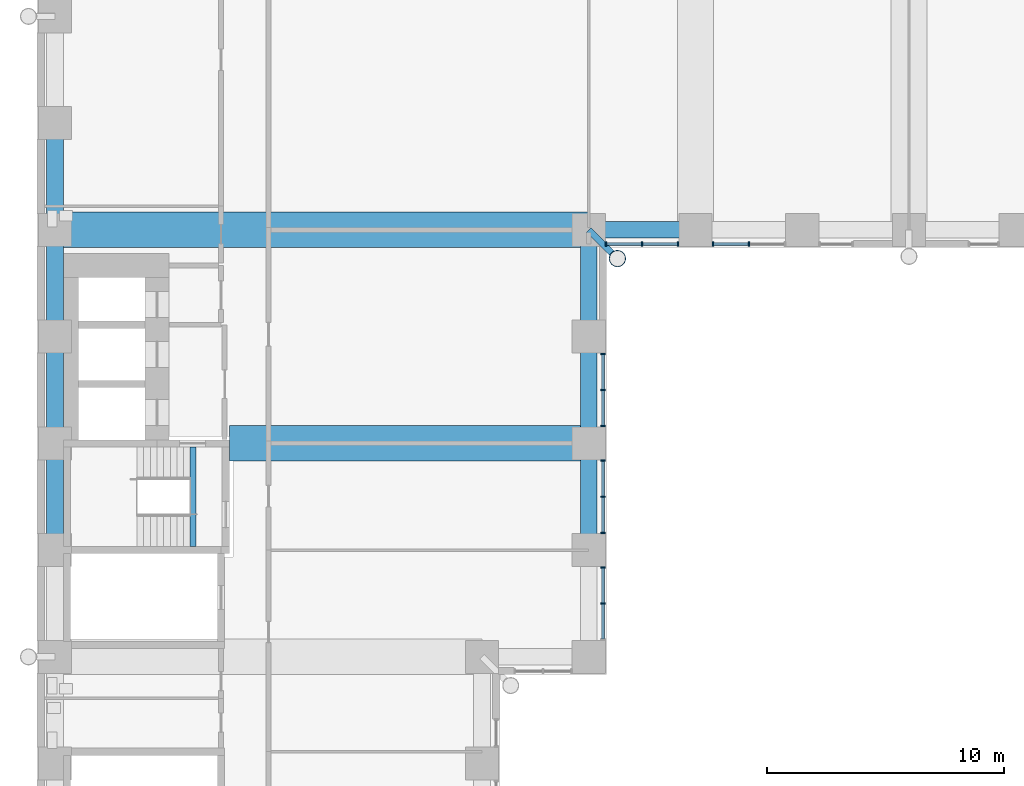
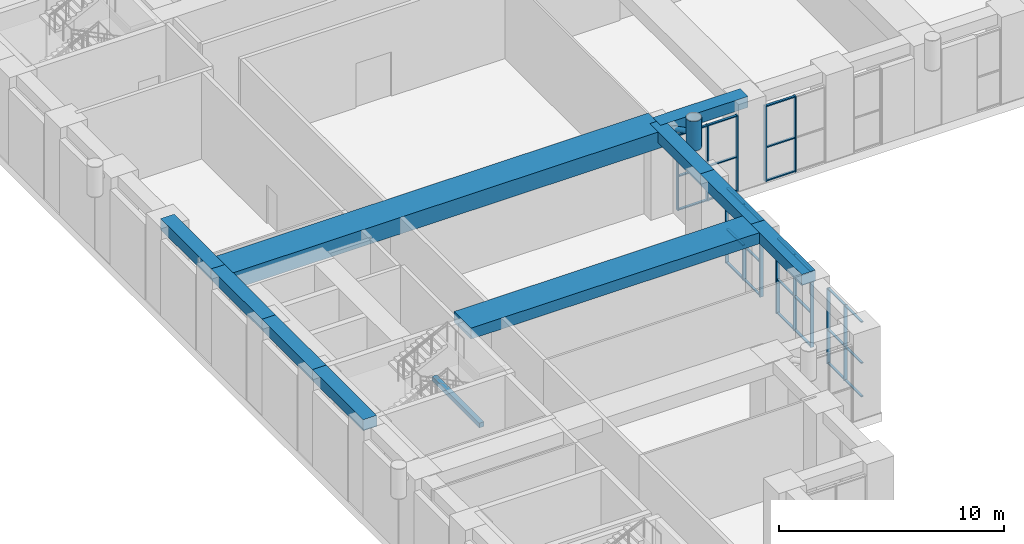
# One storey, part 3 of 35: 42 members, 11 beams, 5 elements without a shape of their own.
"""IFC4 building model written with IfcOpenShell, lengths in metres."""

from ifc_helpers import new_model, si_unit, direction, frame, origin, origin_2d, place, context, subcontext, project, spatial, rectangle, hollow_circle, extrude, material, material_profile, profile_set, type_object, element, aggregate, save


model = new_model("IFC4")

# Units and contexts
model_context = context("Model", 3, precision=1e-05, world=origin(), true_north=direction((0.0, 1.0)))
body_context = subcontext(model_context, "Body", "Model", "MODEL_VIEW")
ifc_project = project(units=[si_unit("LENGTHUNIT", "METRE"), si_unit("AREAUNIT", "SQUARE_METRE"), si_unit("VOLUMEUNIT", "CUBIC_METRE"), si_unit("PLANEANGLEUNIT", "RADIAN"), si_unit("MASSUNIT", "GRAM", prefix="KILO")], contexts=[model_context])

# Site, building, storey
site_placement = place(None, origin())
site = spatial("IfcSite", under=ifc_project, at=site_placement, CompositionType="ELEMENT")
building_placement = place(site_placement, origin())
building = spatial("IfcBuilding", under=site, at=building_placement, Name="Firuza Court", CompositionType="ELEMENT")
storey_placement = place(building_placement, frame((0.0, 0.0, 24.0)))
storey = spatial("IfcBuildingStorey", under=building, at=storey_placement, Name="L04", CompositionType="ELEMENT", Elevation=24.0)

# Beams
ifc_material_1 = material(Name="Concrete C40/50", Category="concrete")
ifc_material_profile_1 = material_profile(ifc_material_1, rectangle(XDim=1.5, YDim=0.60009765625, at=origin_2d()), Name="RC 1500x600")
ifc_profile_set_1 = profile_set([ifc_material_profile_1], Name="Concrete C40/50")
beam_type_1 = type_object("IfcBeamType", Name="Band beam RC 1500x600 C40/50", PredefinedType="BEAM", material=ifc_profile_set_1)
beam_1_placement = place(storey_placement, frame((22.5, 27.0, 4.39990234375), z_axis=(-1.0, 0.0, 0.0), x_axis=(0.0, -1.0, 0.0)))
element("IfcBeam", 1, at=beam_1_placement, inside=storey, type_object=beam_type_1, Name="Band beam FB3 level L05", PredefinedType="BEAM", context=body_context, shape_type="SweptSolid", body=[
    extrude(rectangle(XDim=1.5, YDim=0.60009765625, at=origin_2d()), origin(), (0.0, 0.0, 1.0), 15.14990234375),
])
ifc_material_2 = material(Name="Concrete C40/50", Category="concrete")
ifc_material_profile_2 = material_profile(ifc_material_2, rectangle(XDim=1.5, YDim=0.89990234375, at=origin_2d()), Name="RC 1500x900")
ifc_profile_set_2 = profile_set([ifc_material_profile_2], Name="Concrete C40/50")
beam_type_2 = type_object("IfcBeamType", Name="Band beam RC 1500x900 C40/50", PredefinedType="BEAM", material=ifc_profile_set_2)
beam_2_placement = place(storey_placement, frame((0.0, 36.0, 4.25), z_axis=(1.0, 0.0, 0.0), x_axis=(0.0, 1.0, 0.0)))
element("IfcBeam", 2, at=beam_2_placement, inside=storey, type_object=beam_type_2, Name="Band beam FB2 level L05", PredefinedType="BEAM", context=body_context, shape_type="SweptSolid", body=[
    extrude(rectangle(XDim=1.5, YDim=0.89990234375, at=origin_2d()), origin(), (0.0, 0.0, 1.0), 22.5),
])

# Members
ifc_material_3 = material(Name="Steel S355", Category="steel")
ifc_material_profile_3 = material_profile(ifc_material_3, hollow_circle(Radius=0.35546875, WallThickness=0.030029296875, at=origin_2d()), Name="CHS 711x30")
ifc_profile_set_3 = profile_set([ifc_material_profile_3], Name="Steel S355")
member_type_1 = type_object("IfcMemberType", Name="Diagrid node CHS 711x30 S355", PredefinedType="USERDEFINED", material=ifc_profile_set_3)
member_1_placement = place(storey_placement, frame((23.7099609375, 34.7900390625, 3.64990234375), z_axis=(0.0, 0.0, 1.0), x_axis=(1.0, 0.0, 0.0)))
element("IfcMember", 3, at=member_1_placement, inside=storey, type_object=member_type_1, Name="Diagrid node level L04", ObjectType="DIAGRID NODE", PredefinedType="USERDEFINED", context=body_context, shape_type="SweptSolid", body=[
    extrude(hollow_circle(Radius=0.35546875, WallThickness=0.030029296875, at=origin_2d()), origin(), (0.0, 0.0, 1.0), 1.60009765625),
])
ifc_material_4 = material(Name="Steel S355", Category="steel")
ifc_material_profile_4 = material_profile(ifc_material_4, hollow_circle(Radius=0.136474609375, WallThickness=0.012451171875, at=origin_2d()), Name="CHS 273x12.5")
ifc_profile_set_4 = profile_set([ifc_material_profile_4], Name="Steel S355")
member_type_2 = type_object("IfcMemberType", Name="Diagrid tie CHS 273x12.5 S355", PredefinedType="STRUT", material=ifc_profile_set_4)
member_2_placement = place(storey_placement, frame((22.5, 36.0, 4.449951171875), z_axis=(0.707106781187, -0.707106781187, 0.0), x_axis=(0.707106781187, 0.707106781187, 0.0)))
element("IfcMember", 4, at=member_2_placement, inside=storey, type_object=member_type_2, Name="Diagrid tie level L05", PredefinedType="STRUT", context=body_context, shape_type="SweptSolid", body=[
    extrude(hollow_circle(Radius=0.136474609375, WallThickness=0.012451171875, at=origin_2d()), origin(), (0.0, 0.0, 1.0), 1.711181640625),
])

# Beam
ifc_material_5 = material(Name="Concrete C40/50", Category="concrete")
ifc_material_profile_5 = material_profile(ifc_material_5, rectangle(XDim=0.25, YDim=0.25, at=origin_2d()), Name="RC 250x250")
ifc_profile_set_5 = profile_set([ifc_material_profile_5], Name="Concrete C40/50")
beam_type_3 = type_object("IfcBeamType", Name="Landing beam RC 250x250 C40/50", PredefinedType="BEAM", material=ifc_profile_set_5)
beam_3_placement = place(storey_placement, frame((5.824951171875, 22.64990234375, 2.175048828125), z_axis=(0.0, 1.0, 0.0), x_axis=(-1.0, 0.0, 0.0)))
element("IfcBeam", 5, at=beam_3_placement, inside=storey, type_object=beam_type_3, Name="Landing beam S2 L04", PredefinedType="BEAM", context=body_context, shape_type="SweptSolid", body=[
    extrude(rectangle(XDim=0.25, YDim=0.25, at=origin_2d()), origin(), (0.0, 0.0, 1.0), 4.2001953125),
])

# Curtain wall, members
ifc_material_6 = material(Name="Aluminium curtain wall, triple clear glazing", Category="aluminium")
curtain_wall_type = type_object("IfcCurtainWallType", Name="Podium unitised curtain wall CW1", PredefinedType="NOTDEFINED", material=ifc_material_6)
curtain_wall_1_placement = place(storey_placement, origin())
curtain_wall_1 = element("IfcCurtainWall", 6, at=curtain_wall_1_placement, inside=storey, type_object=curtain_wall_type, Name="Podium unitised curtain wall CW1 L04", PredefinedType="NOTDEFINED")
ifc_material_7 = material(Name="Aluminium EN AW-6060 T66", Category="aluminium")
ifc_material_profile_6 = material_profile(ifc_material_7, rectangle(XDim=0.179931640625, YDim=0.06005859375, at=origin_2d()), Name="Mullion 180 x 60 CW1")
ifc_profile_set_6 = profile_set([ifc_material_profile_6], Name="Aluminium EN AW-6060 T66")
member_type_3 = type_object("IfcMemberType", Name="Mullion 180 x 60 CW1", PredefinedType="MULLION", material=ifc_profile_set_6)
member_3_placement = place(storey_placement, frame((23.10009765625, 20.25, 0.0), z_axis=(0.0, 0.0, 1.0), x_axis=(-1.0, 0.0, 0.0)))
member_3 = element("IfcMember", 7, at=member_3_placement, type_object=member_type_3, Name="CW1 mullion 2", PredefinedType="MULLION", context=body_context, shape_type="SweptSolid", body=[
    extrude(rectangle(XDim=0.179931640625, YDim=0.06005859375, at=origin_2d()), origin(), (0.0, 0.0, 1.0), 4.10009765625),
])
member_4_placement = place(storey_placement, frame((23.10009765625, 21.77001953125, 0.0), z_axis=(0.0, 0.0, 1.0), x_axis=(-1.0, 0.0, 0.0)))
member_4 = element("IfcMember", 8, at=member_4_placement, type_object=member_type_3, Name="CW1 mullion 3", PredefinedType="MULLION", context=body_context, shape_type="SweptSolid", body=[
    extrude(rectangle(XDim=0.179931640625, YDim=0.06005859375, at=origin_2d()), origin(), (0.0, 0.0, 1.0), 4.10009765625),
])

curtain_wall_2_placement = place(storey_placement, origin())
curtain_wall_2 = element("IfcCurtainWall", 9, at=curtain_wall_2_placement, inside=storey, type_object=curtain_wall_type, Name="Podium unitised curtain wall CW1 L04", PredefinedType="NOTDEFINED")
member_5_placement = place(storey_placement, frame((23.10009765625, 23.22998046875, 0.0), z_axis=(0.0, 0.0, 1.0), x_axis=(-1.0, 0.0, 0.0)))
member_5 = element("IfcMember", 10, at=member_5_placement, type_object=member_type_3, Name="CW1 mullion 1", PredefinedType="MULLION", context=body_context, shape_type="SweptSolid", body=[
    extrude(rectangle(XDim=0.179931640625, YDim=0.06005859375, at=origin_2d()), origin(), (0.0, 0.0, 1.0), 4.10009765625),
])
member_6_placement = place(storey_placement, frame((23.10009765625, 24.75, 0.0), z_axis=(0.0, 0.0, 1.0), x_axis=(-1.0, 0.0, 0.0)))
member_6 = element("IfcMember", 11, at=member_6_placement, type_object=member_type_3, Name="CW1 mullion 2", PredefinedType="MULLION", context=body_context, shape_type="SweptSolid", body=[
    extrude(rectangle(XDim=0.179931640625, YDim=0.06005859375, at=origin_2d()), origin(), (0.0, 0.0, 1.0), 4.10009765625),
])
member_7_placement = place(storey_placement, frame((23.10009765625, 26.27001953125, 0.0), z_axis=(0.0, 0.0, 1.0), x_axis=(-1.0, 0.0, 0.0)))
member_7 = element("IfcMember", 12, at=member_7_placement, type_object=member_type_3, Name="CW1 mullion 3", PredefinedType="MULLION", context=body_context, shape_type="SweptSolid", body=[
    extrude(rectangle(XDim=0.179931640625, YDim=0.06005859375, at=origin_2d()), origin(), (0.0, 0.0, 1.0), 4.10009765625),
])

curtain_wall_3_placement = place(storey_placement, origin())
curtain_wall_3 = element("IfcCurtainWall", 13, at=curtain_wall_3_placement, inside=storey, type_object=curtain_wall_type, Name="Podium unitised curtain wall CW1 L04", PredefinedType="NOTDEFINED")
member_8_placement = place(storey_placement, frame((23.10009765625, 27.72998046875, 0.0), z_axis=(0.0, 0.0, 1.0), x_axis=(-1.0, 0.0, 0.0)))
member_8 = element("IfcMember", 14, at=member_8_placement, type_object=member_type_3, Name="CW1 mullion 1", PredefinedType="MULLION", context=body_context, shape_type="SweptSolid", body=[
    extrude(rectangle(XDim=0.179931640625, YDim=0.06005859375, at=origin_2d()), origin(), (0.0, 0.0, 1.0), 4.10009765625),
])
member_9_placement = place(storey_placement, frame((23.10009765625, 29.25, 0.0), z_axis=(0.0, 0.0, 1.0), x_axis=(-1.0, 0.0, 0.0)))
member_9 = element("IfcMember", 15, at=member_9_placement, type_object=member_type_3, Name="CW1 mullion 2", PredefinedType="MULLION", context=body_context, shape_type="SweptSolid", body=[
    extrude(rectangle(XDim=0.179931640625, YDim=0.06005859375, at=origin_2d()), origin(), (0.0, 0.0, 1.0), 4.10009765625),
])
member_10_placement = place(storey_placement, frame((23.10009765625, 30.77001953125, 0.0), z_axis=(0.0, 0.0, 1.0), x_axis=(-1.0, 0.0, 0.0)))
member_10 = element("IfcMember", 16, at=member_10_placement, type_object=member_type_3, Name="CW1 mullion 3", PredefinedType="MULLION", context=body_context, shape_type="SweptSolid", body=[
    extrude(rectangle(XDim=0.179931640625, YDim=0.06005859375, at=origin_2d()), origin(), (0.0, 0.0, 1.0), 4.10009765625),
])

curtain_wall_4_placement = place(storey_placement, origin())
curtain_wall_4 = element("IfcCurtainWall", 17, at=curtain_wall_4_placement, inside=storey, type_object=curtain_wall_type, Name="Podium unitised curtain wall CW1 L04", PredefinedType="NOTDEFINED")
member_11_placement = place(storey_placement, frame((23.22998046875, 35.39990234375, 0.0), z_axis=(0.0, 0.0, 1.0), x_axis=(0.0, 1.0, 0.0)))
member_11 = element("IfcMember", 18, at=member_11_placement, type_object=member_type_3, Name="CW1 mullion 1", PredefinedType="MULLION", context=body_context, shape_type="SweptSolid", body=[
    extrude(rectangle(XDim=0.179931640625, YDim=0.06005859375, at=origin_2d()), origin(), (0.0, 0.0, 1.0), 4.10009765625),
])
member_12_placement = place(storey_placement, frame((24.75, 35.39990234375, 0.0), z_axis=(0.0, 0.0, 1.0), x_axis=(0.0, 1.0, 0.0)))
member_12 = element("IfcMember", 19, at=member_12_placement, type_object=member_type_3, Name="CW1 mullion 2", PredefinedType="MULLION", context=body_context, shape_type="SweptSolid", body=[
    extrude(rectangle(XDim=0.179931640625, YDim=0.06005859375, at=origin_2d()), origin(), (0.0, 0.0, 1.0), 4.10009765625),
])
member_13_placement = place(storey_placement, frame((26.27001953125, 35.39990234375, 0.0), z_axis=(0.0, 0.0, 1.0), x_axis=(0.0, 1.0, 0.0)))
member_13 = element("IfcMember", 20, at=member_13_placement, type_object=member_type_3, Name="CW1 mullion 3", PredefinedType="MULLION", context=body_context, shape_type="SweptSolid", body=[
    extrude(rectangle(XDim=0.179931640625, YDim=0.06005859375, at=origin_2d()), origin(), (0.0, 0.0, 1.0), 4.10009765625),
])

curtain_wall_5_placement = place(storey_placement, origin())
curtain_wall_5 = element("IfcCurtainWall", 21, at=curtain_wall_5_placement, inside=storey, type_object=curtain_wall_type, Name="Podium unitised curtain wall CW1 L04", PredefinedType="NOTDEFINED")
member_14_placement = place(storey_placement, frame((27.72998046875, 35.39990234375, 0.0), z_axis=(0.0, 0.0, 1.0), x_axis=(0.0, 1.0, 0.0)))
member_14 = element("IfcMember", 22, at=member_14_placement, type_object=member_type_3, Name="CW1 mullion 1", PredefinedType="MULLION", context=body_context, shape_type="SweptSolid", body=[
    extrude(rectangle(XDim=0.179931640625, YDim=0.06005859375, at=origin_2d()), origin(), (0.0, 0.0, 1.0), 4.10009765625),
])
member_15_placement = place(storey_placement, frame((29.25, 35.39990234375, 0.0), z_axis=(0.0, 0.0, 1.0), x_axis=(0.0, 1.0, 0.0)))
member_15 = element("IfcMember", 23, at=member_15_placement, type_object=member_type_3, Name="CW1 mullion 2", PredefinedType="MULLION", context=body_context, shape_type="SweptSolid", body=[
    extrude(rectangle(XDim=0.179931640625, YDim=0.06005859375, at=origin_2d()), origin(), (0.0, 0.0, 1.0), 4.10009765625),
])

# Beams
ifc_material_8 = material(Name="Concrete C40/50", Category="concrete")
ifc_material_profile_7 = material_profile(ifc_material_8, rectangle(XDim=0.699951171875, YDim=0.60009765625, at=origin_2d()), Name="RC 700x600")
ifc_profile_set_7 = profile_set([ifc_material_profile_7], Name="Concrete C40/50")
beam_type_4 = type_object("IfcBeamType", Name="Spandrel beam RC 700x600 C40/50", PredefinedType="BEAM", material=ifc_profile_set_7)
for number, where, z_axis, x_axis, name in (
    (24, (0.0, 27.0, 4.39990234375), (0.0, -1.0, 0.0), (1.0, 0.0, 0.0), "Spandrel beam SP10 level L05"),
    (25, (0.0, 31.5, 4.39990234375), (0.0, -1.0, 0.0), (1.0, 0.0, 0.0), "Spandrel beam SP10 level L05"),
    (26, (0.0, 36.0, 4.39990234375), (0.0, -1.0, 0.0), (1.0, 0.0, 0.0), "Spandrel beam SP10 level L05"),
    (27, (0.0, 40.5, 4.39990234375), (0.0, -1.0, 0.0), (1.0, 0.0, 0.0), "Spandrel beam SP10 level L05"),
    (28, (22.5, 22.5, 4.39990234375), (0.0, 1.0, 0.0), (-1.0, 0.0, 0.0), "Spandrel beam SP10 level L05"),
    (29, (22.5, 27.0, 4.39990234375), (0.0, 1.0, 0.0), (-1.0, 0.0, 0.0), "Spandrel beam SP10 level L05"),
    (30, (22.5, 31.5, 4.39990234375), (0.0, 1.0, 0.0), (-1.0, 0.0, 0.0), "Spandrel beam SP10 level L05"),
    (31, (22.5, 36.0, 4.39990234375), (1.0, 0.0, 0.0), (0.0, 1.0, 0.0), "Spandrel beam SP10 level L05"),
):
    element("IfcBeam", number, at=place(storey_placement, frame(where, z_axis=z_axis, x_axis=x_axis)), inside=storey, type_object=beam_type_4, Name=name, PredefinedType="BEAM", context=body_context, shape_type="SweptSolid", body=[
        extrude(rectangle(XDim=0.699951171875, YDim=0.60009765625, at=origin_2d()), origin(), (0.0, 0.0, 1.0), 4.5),
    ])

# Member
ifc_material_9 = material(Name="Aluminium EN AW-6060 T66", Category="aluminium")
ifc_material_profile_8 = material_profile(ifc_material_9, rectangle(XDim=0.1201171875, YDim=0.06005859375, at=origin_2d()), Name="Transom 120 x 60 CW1")
ifc_profile_set_8 = profile_set([ifc_material_profile_8], Name="Aluminium EN AW-6060 T66")
member_type_4 = type_object("IfcMemberType", Name="Transom 120 x 60 CW1", PredefinedType="USERDEFINED", material=ifc_profile_set_8)
member_16_placement = place(storey_placement, frame((23.10009765625, 18.760009765625, 0.030029296875), z_axis=(0.0, 1.0, 0.0), x_axis=(-1.0, 0.0, 0.0)))
member_16 = element("IfcMember", 32, at=member_16_placement, type_object=member_type_4, Name="CW1 transom 1.1", ObjectType="TRANSOM", PredefinedType="USERDEFINED", context=body_context, shape_type="SweptSolid", body=[
    extrude(rectangle(XDim=0.1201171875, YDim=0.06005859375, at=origin_2d()), origin(), (0.0, 0.0, 1.0), 1.4599609375),
])

member_17_placement = place(storey_placement, frame((23.10009765625, 18.760009765625, 1.844970703125), z_axis=(0.0, 1.0, 0.0), x_axis=(-1.0, 0.0, 0.0)))
member_17 = element("IfcMember", 33, at=member_17_placement, type_object=member_type_4, Name="CW1 transom 1.2", ObjectType="TRANSOM", PredefinedType="USERDEFINED", context=body_context, shape_type="SweptSolid", body=[
    extrude(rectangle(XDim=0.1201171875, YDim=0.06005859375, at=origin_2d()), origin(), (0.0, 0.0, 1.0), 1.4599609375),
])

member_18_placement = place(storey_placement, frame((23.10009765625, 18.760009765625, 4.070068359375), z_axis=(0.0, 1.0, 0.0), x_axis=(-1.0, 0.0, 0.0)))
member_18 = element("IfcMember", 34, at=member_18_placement, type_object=member_type_4, Name="CW1 transom 1.3", ObjectType="TRANSOM", PredefinedType="USERDEFINED", context=body_context, shape_type="SweptSolid", body=[
    extrude(rectangle(XDim=0.1201171875, YDim=0.06005859375, at=origin_2d()), origin(), (0.0, 0.0, 1.0), 1.4599609375),
])

member_19_placement = place(storey_placement, frame((23.10009765625, 20.280029296875, 0.030029296875), z_axis=(0.0, 1.0, 0.0), x_axis=(-1.0, 0.0, 0.0)))
member_19 = element("IfcMember", 35, at=member_19_placement, type_object=member_type_4, Name="CW1 transom 2.1", ObjectType="TRANSOM", PredefinedType="USERDEFINED", context=body_context, shape_type="SweptSolid", body=[
    extrude(rectangle(XDim=0.1201171875, YDim=0.06005859375, at=origin_2d()), origin(), (0.0, 0.0, 1.0), 1.4599609375),
])

member_20_placement = place(storey_placement, frame((23.10009765625, 20.280029296875, 1.844970703125), z_axis=(0.0, 1.0, 0.0), x_axis=(-1.0, 0.0, 0.0)))
member_20 = element("IfcMember", 36, at=member_20_placement, type_object=member_type_4, Name="CW1 transom 2.2", ObjectType="TRANSOM", PredefinedType="USERDEFINED", context=body_context, shape_type="SweptSolid", body=[
    extrude(rectangle(XDim=0.1201171875, YDim=0.06005859375, at=origin_2d()), origin(), (0.0, 0.0, 1.0), 1.4599609375),
])

member_21_placement = place(storey_placement, frame((23.10009765625, 20.280029296875, 4.070068359375), z_axis=(0.0, 1.0, 0.0), x_axis=(-1.0, 0.0, 0.0)))
member_21 = element("IfcMember", 37, at=member_21_placement, type_object=member_type_4, Name="CW1 transom 2.3", ObjectType="TRANSOM", PredefinedType="USERDEFINED", context=body_context, shape_type="SweptSolid", body=[
    extrude(rectangle(XDim=0.1201171875, YDim=0.06005859375, at=origin_2d()), origin(), (0.0, 0.0, 1.0), 1.4599609375),
])

aggregate(curtain_wall_1, [member_3, member_4, member_16, member_17, member_18, member_19, member_20, member_21])

member_22_placement = place(storey_placement, frame((23.10009765625, 23.260009765625, 0.030029296875), z_axis=(0.0, 1.0, 0.0), x_axis=(-1.0, 0.0, 0.0)))
member_22 = element("IfcMember", 38, at=member_22_placement, type_object=member_type_4, Name="CW1 transom 1.1", ObjectType="TRANSOM", PredefinedType="USERDEFINED", context=body_context, shape_type="SweptSolid", body=[
    extrude(rectangle(XDim=0.1201171875, YDim=0.06005859375, at=origin_2d()), origin(), (0.0, 0.0, 1.0), 1.4599609375),
])

member_23_placement = place(storey_placement, frame((23.10009765625, 23.260009765625, 1.844970703125), z_axis=(0.0, 1.0, 0.0), x_axis=(-1.0, 0.0, 0.0)))
member_23 = element("IfcMember", 39, at=member_23_placement, type_object=member_type_4, Name="CW1 transom 1.2", ObjectType="TRANSOM", PredefinedType="USERDEFINED", context=body_context, shape_type="SweptSolid", body=[
    extrude(rectangle(XDim=0.1201171875, YDim=0.06005859375, at=origin_2d()), origin(), (0.0, 0.0, 1.0), 1.4599609375),
])

member_24_placement = place(storey_placement, frame((23.10009765625, 23.260009765625, 4.070068359375), z_axis=(0.0, 1.0, 0.0), x_axis=(-1.0, 0.0, 0.0)))
member_24 = element("IfcMember", 40, at=member_24_placement, type_object=member_type_4, Name="CW1 transom 1.3", ObjectType="TRANSOM", PredefinedType="USERDEFINED", context=body_context, shape_type="SweptSolid", body=[
    extrude(rectangle(XDim=0.1201171875, YDim=0.06005859375, at=origin_2d()), origin(), (0.0, 0.0, 1.0), 1.4599609375),
])

member_25_placement = place(storey_placement, frame((23.10009765625, 24.780029296875, 0.030029296875), z_axis=(0.0, 1.0, 0.0), x_axis=(-1.0, 0.0, 0.0)))
member_25 = element("IfcMember", 41, at=member_25_placement, type_object=member_type_4, Name="CW1 transom 2.1", ObjectType="TRANSOM", PredefinedType="USERDEFINED", context=body_context, shape_type="SweptSolid", body=[
    extrude(rectangle(XDim=0.1201171875, YDim=0.06005859375, at=origin_2d()), origin(), (0.0, 0.0, 1.0), 1.4599609375),
])

member_26_placement = place(storey_placement, frame((23.10009765625, 24.780029296875, 1.844970703125), z_axis=(0.0, 1.0, 0.0), x_axis=(-1.0, 0.0, 0.0)))
member_26 = element("IfcMember", 42, at=member_26_placement, type_object=member_type_4, Name="CW1 transom 2.2", ObjectType="TRANSOM", PredefinedType="USERDEFINED", context=body_context, shape_type="SweptSolid", body=[
    extrude(rectangle(XDim=0.1201171875, YDim=0.06005859375, at=origin_2d()), origin(), (0.0, 0.0, 1.0), 1.4599609375),
])

member_27_placement = place(storey_placement, frame((23.10009765625, 24.780029296875, 4.070068359375), z_axis=(0.0, 1.0, 0.0), x_axis=(-1.0, 0.0, 0.0)))
member_27 = element("IfcMember", 43, at=member_27_placement, type_object=member_type_4, Name="CW1 transom 2.3", ObjectType="TRANSOM", PredefinedType="USERDEFINED", context=body_context, shape_type="SweptSolid", body=[
    extrude(rectangle(XDim=0.1201171875, YDim=0.06005859375, at=origin_2d()), origin(), (0.0, 0.0, 1.0), 1.4599609375),
])

aggregate(curtain_wall_2, [member_5, member_6, member_7, member_22, member_23, member_24, member_25, member_26, member_27])

member_28_placement = place(storey_placement, frame((23.10009765625, 27.760009765625, 0.030029296875), z_axis=(0.0, 1.0, 0.0), x_axis=(-1.0, 0.0, 0.0)))
member_28 = element("IfcMember", 44, at=member_28_placement, type_object=member_type_4, Name="CW1 transom 1.1", ObjectType="TRANSOM", PredefinedType="USERDEFINED", context=body_context, shape_type="SweptSolid", body=[
    extrude(rectangle(XDim=0.1201171875, YDim=0.06005859375, at=origin_2d()), origin(), (0.0, 0.0, 1.0), 1.4599609375),
])

member_29_placement = place(storey_placement, frame((23.10009765625, 27.760009765625, 1.844970703125), z_axis=(0.0, 1.0, 0.0), x_axis=(-1.0, 0.0, 0.0)))
member_29 = element("IfcMember", 45, at=member_29_placement, type_object=member_type_4, Name="CW1 transom 1.2", ObjectType="TRANSOM", PredefinedType="USERDEFINED", context=body_context, shape_type="SweptSolid", body=[
    extrude(rectangle(XDim=0.1201171875, YDim=0.06005859375, at=origin_2d()), origin(), (0.0, 0.0, 1.0), 1.4599609375),
])

member_30_placement = place(storey_placement, frame((23.10009765625, 27.760009765625, 4.070068359375), z_axis=(0.0, 1.0, 0.0), x_axis=(-1.0, 0.0, 0.0)))
member_30 = element("IfcMember", 46, at=member_30_placement, type_object=member_type_4, Name="CW1 transom 1.3", ObjectType="TRANSOM", PredefinedType="USERDEFINED", context=body_context, shape_type="SweptSolid", body=[
    extrude(rectangle(XDim=0.1201171875, YDim=0.06005859375, at=origin_2d()), origin(), (0.0, 0.0, 1.0), 1.4599609375),
])

member_31_placement = place(storey_placement, frame((23.10009765625, 29.280029296875, 0.030029296875), z_axis=(0.0, 1.0, 0.0), x_axis=(-1.0, 0.0, 0.0)))
member_31 = element("IfcMember", 47, at=member_31_placement, type_object=member_type_4, Name="CW1 transom 2.1", ObjectType="TRANSOM", PredefinedType="USERDEFINED", context=body_context, shape_type="SweptSolid", body=[
    extrude(rectangle(XDim=0.1201171875, YDim=0.06005859375, at=origin_2d()), origin(), (0.0, 0.0, 1.0), 1.4599609375),
])

member_32_placement = place(storey_placement, frame((23.10009765625, 29.280029296875, 1.844970703125), z_axis=(0.0, 1.0, 0.0), x_axis=(-1.0, 0.0, 0.0)))
member_32 = element("IfcMember", 48, at=member_32_placement, type_object=member_type_4, Name="CW1 transom 2.2", ObjectType="TRANSOM", PredefinedType="USERDEFINED", context=body_context, shape_type="SweptSolid", body=[
    extrude(rectangle(XDim=0.1201171875, YDim=0.06005859375, at=origin_2d()), origin(), (0.0, 0.0, 1.0), 1.4599609375),
])

member_33_placement = place(storey_placement, frame((23.10009765625, 29.280029296875, 4.070068359375), z_axis=(0.0, 1.0, 0.0), x_axis=(-1.0, 0.0, 0.0)))
member_33 = element("IfcMember", 49, at=member_33_placement, type_object=member_type_4, Name="CW1 transom 2.3", ObjectType="TRANSOM", PredefinedType="USERDEFINED", context=body_context, shape_type="SweptSolid", body=[
    extrude(rectangle(XDim=0.1201171875, YDim=0.06005859375, at=origin_2d()), origin(), (0.0, 0.0, 1.0), 1.4599609375),
])

aggregate(curtain_wall_3, [member_8, member_9, member_10, member_28, member_29, member_30, member_31, member_32, member_33])

member_34_placement = place(storey_placement, frame((23.260009765625, 35.39990234375, 0.030029296875), z_axis=(1.0, 0.0, 0.0), x_axis=(0.0, 1.0, 0.0)))
member_34 = element("IfcMember", 50, at=member_34_placement, type_object=member_type_4, Name="CW1 transom 1.1", ObjectType="TRANSOM", PredefinedType="USERDEFINED", context=body_context, shape_type="SweptSolid", body=[
    extrude(rectangle(XDim=0.1201171875, YDim=0.06005859375, at=origin_2d()), origin(), (0.0, 0.0, 1.0), 1.4599609375),
])

member_35_placement = place(storey_placement, frame((23.260009765625, 35.39990234375, 1.844970703125), z_axis=(1.0, 0.0, 0.0), x_axis=(0.0, 1.0, 0.0)))
member_35 = element("IfcMember", 51, at=member_35_placement, type_object=member_type_4, Name="CW1 transom 1.2", ObjectType="TRANSOM", PredefinedType="USERDEFINED", context=body_context, shape_type="SweptSolid", body=[
    extrude(rectangle(XDim=0.1201171875, YDim=0.06005859375, at=origin_2d()), origin(), (0.0, 0.0, 1.0), 1.4599609375),
])

member_36_placement = place(storey_placement, frame((23.260009765625, 35.39990234375, 4.070068359375), z_axis=(1.0, 0.0, 0.0), x_axis=(0.0, 1.0, 0.0)))
member_36 = element("IfcMember", 52, at=member_36_placement, type_object=member_type_4, Name="CW1 transom 1.3", ObjectType="TRANSOM", PredefinedType="USERDEFINED", context=body_context, shape_type="SweptSolid", body=[
    extrude(rectangle(XDim=0.1201171875, YDim=0.06005859375, at=origin_2d()), origin(), (0.0, 0.0, 1.0), 1.4599609375),
])

member_37_placement = place(storey_placement, frame((24.780029296875, 35.39990234375, 0.030029296875), z_axis=(1.0, 0.0, 0.0), x_axis=(0.0, 1.0, 0.0)))
member_37 = element("IfcMember", 53, at=member_37_placement, type_object=member_type_4, Name="CW1 transom 2.1", ObjectType="TRANSOM", PredefinedType="USERDEFINED", context=body_context, shape_type="SweptSolid", body=[
    extrude(rectangle(XDim=0.1201171875, YDim=0.06005859375, at=origin_2d()), origin(), (0.0, 0.0, 1.0), 1.4599609375),
])

member_38_placement = place(storey_placement, frame((24.780029296875, 35.39990234375, 1.844970703125), z_axis=(1.0, 0.0, 0.0), x_axis=(0.0, 1.0, 0.0)))
member_38 = element("IfcMember", 54, at=member_38_placement, type_object=member_type_4, Name="CW1 transom 2.2", ObjectType="TRANSOM", PredefinedType="USERDEFINED", context=body_context, shape_type="SweptSolid", body=[
    extrude(rectangle(XDim=0.1201171875, YDim=0.06005859375, at=origin_2d()), origin(), (0.0, 0.0, 1.0), 1.4599609375),
])

member_39_placement = place(storey_placement, frame((24.780029296875, 35.39990234375, 4.070068359375), z_axis=(1.0, 0.0, 0.0), x_axis=(0.0, 1.0, 0.0)))
member_39 = element("IfcMember", 55, at=member_39_placement, type_object=member_type_4, Name="CW1 transom 2.3", ObjectType="TRANSOM", PredefinedType="USERDEFINED", context=body_context, shape_type="SweptSolid", body=[
    extrude(rectangle(XDim=0.1201171875, YDim=0.06005859375, at=origin_2d()), origin(), (0.0, 0.0, 1.0), 1.4599609375),
])

aggregate(curtain_wall_4, [member_11, member_12, member_13, member_34, member_35, member_36, member_37, member_38, member_39])

member_40_placement = place(storey_placement, frame((27.760009765625, 35.39990234375, 0.030029296875), z_axis=(1.0, 0.0, 0.0), x_axis=(0.0, 1.0, 0.0)))
member_40 = element("IfcMember", 56, at=member_40_placement, type_object=member_type_4, Name="CW1 transom 1.1", ObjectType="TRANSOM", PredefinedType="USERDEFINED", context=body_context, shape_type="SweptSolid", body=[
    extrude(rectangle(XDim=0.1201171875, YDim=0.06005859375, at=origin_2d()), origin(), (0.0, 0.0, 1.0), 1.4599609375),
])

member_41_placement = place(storey_placement, frame((27.760009765625, 35.39990234375, 1.844970703125), z_axis=(1.0, 0.0, 0.0), x_axis=(0.0, 1.0, 0.0)))
member_41 = element("IfcMember", 57, at=member_41_placement, type_object=member_type_4, Name="CW1 transom 1.2", ObjectType="TRANSOM", PredefinedType="USERDEFINED", context=body_context, shape_type="SweptSolid", body=[
    extrude(rectangle(XDim=0.1201171875, YDim=0.06005859375, at=origin_2d()), origin(), (0.0, 0.0, 1.0), 1.4599609375),
])

member_42_placement = place(storey_placement, frame((27.760009765625, 35.39990234375, 4.070068359375), z_axis=(1.0, 0.0, 0.0), x_axis=(0.0, 1.0, 0.0)))
member_42 = element("IfcMember", 58, at=member_42_placement, type_object=member_type_4, Name="CW1 transom 1.3", ObjectType="TRANSOM", PredefinedType="USERDEFINED", context=body_context, shape_type="SweptSolid", body=[
    extrude(rectangle(XDim=0.1201171875, YDim=0.06005859375, at=origin_2d()), origin(), (0.0, 0.0, 1.0), 1.4599609375),
])

aggregate(curtain_wall_5, [member_14, member_15, member_40, member_41, member_42])

save(model, "model.ifc")
